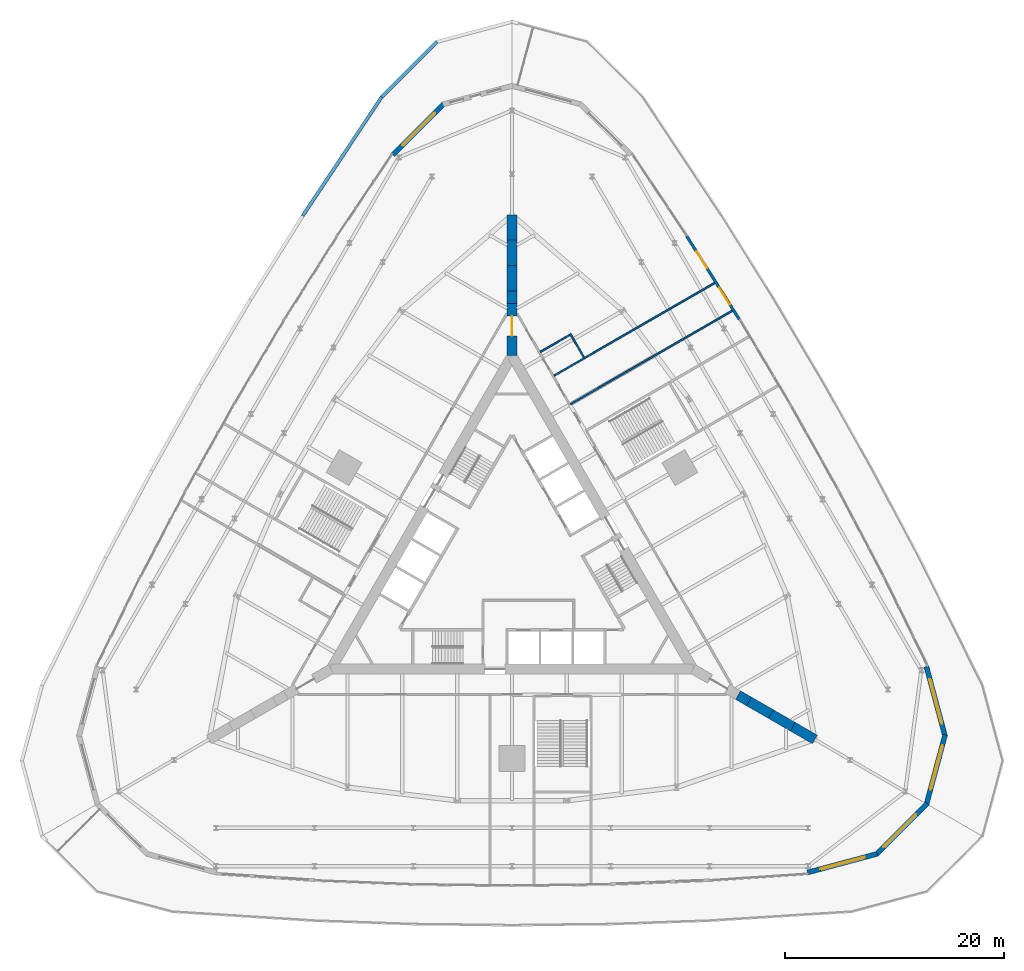
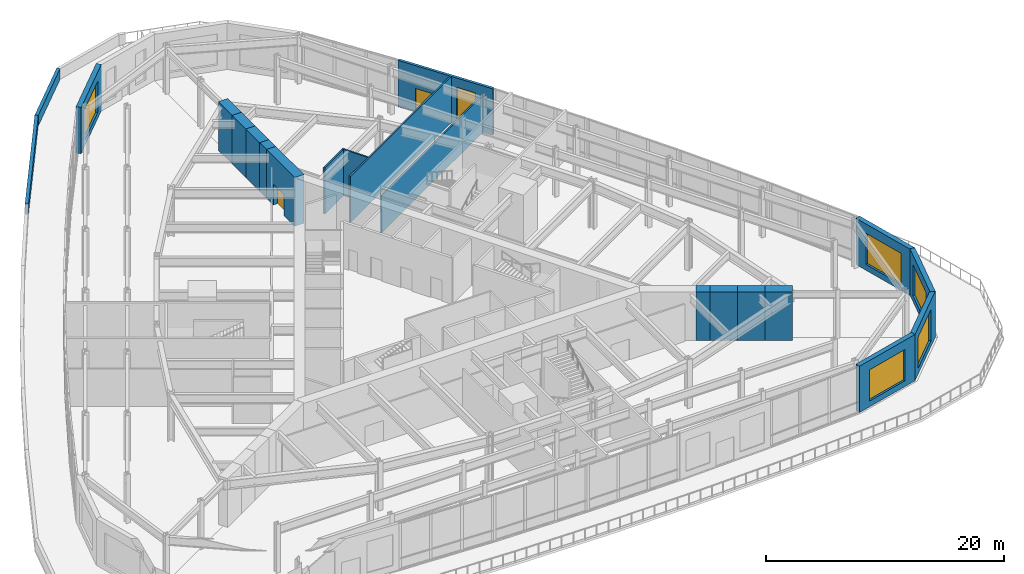
# One storey, part 15 of 20: 21 walls, 6 windows, 2 doors, 8 openings.
"""IFC4 building model written with IfcOpenShell, lengths in metres."""

import ifcopenshell
import ifcopenshell.guid

model = None  # the IFC model being written
_history = None  # IfcOwnerHistory: only IFC2X3 demands one
_inside = {}  # id of a spatial element -> (the spatial element, [elements in it])
_under = {}  # id of a project, library or spatial element -> (it, [spatial elements below it])
_declared = {}  # id of a project -> (the project, [libraries it declares])
_typed = {}  # id of a type object -> (the type object, [elements of that type])
_made_of = {}  # id of a material, layer set ... -> (it, [elements and type objects made of it])


def new_model(schema):
    """Start an empty IFC model of exactly this schema.

    Asked for "IFC4X3", IfcOpenShell would pick the latest addendum, in which some entities
    have other attributes; the version numbers below select the first issue.
    IFC2X3 requires an IfcOwnerHistory on every rooted entity: one is made here for all.
    """
    global model, _history
    if schema == "IFC4X3":
        model = ifcopenshell.file(schema_version=(4, 3, 0, 0))
    else:
        model = ifcopenshell.file(schema=schema)
    _inside.clear()
    _under.clear()
    _declared.clear()
    _typed.clear()
    _made_of.clear()
    _history = None
    if model.schema == "IFC2X3":
        org = make("IfcOrganization", Name="unknown")
        user = make(
            "IfcPersonAndOrganization",
            ThePerson=make("IfcPerson", FamilyName="unknown"),
            TheOrganization=org,
        )
        app = make(
            "IfcApplication",
            ApplicationDeveloper=org,
            Version="unknown",
            ApplicationFullName="unknown",
            ApplicationIdentifier="unknown",
        )
        _history = make(
            "IfcOwnerHistory",
            OwningUser=user,
            OwningApplication=app,
            ChangeAction="ADDED",
            CreationDate=0,
        )
    return model


def make(cls, **values):
    """One entity of the class cls with the attributes given. An attribute that is None is left unset."""
    return model.create_entity(
        cls, **{name: value for name, value in values.items() if value is not None}
    )


def rooted(cls, **values):
    """An entity with a GlobalId (a new one), such as an element, a storey or a relation."""
    return make(cls, GlobalId=ifcopenshell.guid.new(), OwnerHistory=_history, **values)


def si_unit(unit_type, name, prefix=None):
    """IfcSIUnit, for example si_unit("LENGTHUNIT", "METRE", prefix="MILLI")."""
    return make("IfcSIUnit", UnitType=unit_type, Prefix=prefix, Name=name)


def assignment(units):
    """IfcUnitAssignment: the units of a project."""
    return None if units is None else make("IfcUnitAssignment", Units=units)


def point(xyz):
    """IfcCartesianPoint."""
    return None if xyz is None else make("IfcCartesianPoint", Coordinates=xyz)


def direction(xyz):
    """IfcDirection."""
    return None if xyz is None else make("IfcDirection", DirectionRatios=xyz)


def frame(location, z_axis=None, x_axis=None):
    """IfcAxis2Placement3D, a coordinate frame: its origin and axes. An axis left out is left unset."""
    return make(
        "IfcAxis2Placement3D",
        Location=point(location),
        Axis=direction(z_axis),
        RefDirection=direction(x_axis),
    )


def frame_2d(location, x_axis=None):
    """IfcAxis2Placement2D, a coordinate frame in the plane: its origin and x axis."""
    return make(
        "IfcAxis2Placement2D", Location=point(location), RefDirection=direction(x_axis)
    )


def origin():
    """The frame at (0, 0, 0) with its axes left unset."""
    return frame((0.0, 0.0, 0.0))


def place(relative_to, where):
    """IfcLocalPlacement: puts the frame where relative to a parent placement (None: the world)."""
    return make(
        "IfcLocalPlacement", PlacementRelTo=relative_to, RelativePlacement=where
    )


def context(
    kind, dimensions, precision=None, world=None, true_north=None, identifier=None
):
    """IfcGeometricRepresentationContext, for example the 3D "Model" context."""
    return make(
        "IfcGeometricRepresentationContext",
        ContextIdentifier=identifier,
        ContextType=kind,
        CoordinateSpaceDimension=dimensions,
        Precision=precision,
        WorldCoordinateSystem=world,
        TrueNorth=true_north,
    )


def subcontext(parent, identifier, kind, view, scale=None):
    """IfcGeometricRepresentationSubContext, for example "Body" below "Model"."""
    return make(
        "IfcGeometricRepresentationSubContext",
        ContextIdentifier=identifier,
        ContextType=kind,
        ParentContext=parent,
        TargetScale=scale,
        TargetView=view,
    )


def project(units=None, contexts=None):
    """IfcProject with its units and contexts."""
    return rooted(
        "IfcProject",
        Name="project",
        RepresentationContexts=contexts,
        UnitsInContext=assignment(units),
    )


def spatial(cls, under=None, at=None, **own):
    """A site, building, storey or space (cls), placed at a placement, below another one or the project."""
    s = rooted(cls, ObjectPlacement=at, **own)
    if under is not None:
        _under.setdefault(under.id(), (under, []))[1].append(s)
    return s


def profile(cls, at=None, kind="AREA", **sizes):
    """A parametric profile (cls). Its sizes go by their IFC names, for example OverallWidth=200.0."""
    return make(cls, ProfileType=kind, Position=at, **sizes)


def rectangle(**sizes):
    """IfcRectangleProfileDef."""
    return profile("IfcRectangleProfileDef", **sizes)


def extrude(swept, where, along, depth):
    """IfcExtrudedAreaSolid: the profile swept, set in the frame where, extruded along a direction by depth."""
    return make(
        "IfcExtrudedAreaSolid",
        SweptArea=swept,
        Position=where,
        ExtrudedDirection=direction(along),
        Depth=depth,
    )


def shape(context_of_items, identifier, shape_type, items):
    """IfcShapeRepresentation: the items that make up one representation, for example the "Body"."""
    return make(
        "IfcShapeRepresentation",
        ContextOfItems=context_of_items,
        RepresentationIdentifier=identifier,
        RepresentationType=shape_type,
        Items=items,
    )


def material(Name=None, Category=None):
    """IfcMaterial."""
    return make("IfcMaterial", Name=Name, Category=Category)


def layer(
    of_material, thickness, ventilated=None, Name=None, Category=None, Priority=None
):
    """IfcMaterialLayer: one layer of a wall or slab, of a material (None: an air gap)."""
    return make(
        "IfcMaterialLayer",
        Material=of_material,
        LayerThickness=thickness,
        IsVentilated=ventilated,
        Name=Name,
        Category=Category,
        Priority=Priority,
    )


def layer_set(layers, Name=None):
    """IfcMaterialLayerSet."""
    return make("IfcMaterialLayerSet", MaterialLayers=layers, LayerSetName=Name)


def made_of(thing, what):
    """Note that an element or type object is made of a material, layer set ...; save() writes the relation."""
    if what is not None:
        _made_of.setdefault(what.id(), (what, []))[1].append(thing)
    return thing


def type_object(cls, material=None, **own):
    """A type object (cls), such as IfcWallType, which elements share."""
    return made_of(rooted(cls, **own), material)


def element(
    cls,
    number,
    at=None,
    inside=None,
    cuts=None,
    type_object=None,
    material=None,
    context=None,
    identifier="Body",
    shape_type=None,
    held_by="IfcProductDefinitionShape",
    body=None,
    shapes=None,
    **own,
):
    """One element of the class cls, such as IfcWall. Its Tag is "e" and its number.

    at: its placement. inside: the storey or other place that contains it. cuts: it is an
    opening in that element (IfcRelVoidsElement). A single representation is given by context,
    identifier, shape_type and body (its items); several are given by shapes. held_by: the class
    of the entity that holds the representations. save() writes the other relations.
    """
    e = rooted(cls, Tag="e%d" % number, ObjectPlacement=at, **own)
    if body is not None:
        shapes = [shape(context, identifier, shape_type, body)]
    if shapes is not None:
        e.Representation = make(held_by, Representations=shapes)
    if inside is not None:
        _inside.setdefault(inside.id(), (inside, []))[1].append(e)
    if cuts is not None:
        rooted(
            "IfcRelVoidsElement", RelatingBuildingElement=cuts, RelatedOpeningElement=e
        )
    if type_object is not None:
        _typed.setdefault(type_object.id(), (type_object, []))[1].append(e)
    return made_of(e, material)


def fill(opening, filler):
    """IfcRelFillsElement: the door or window that sits in an opening."""
    return rooted(
        "IfcRelFillsElement",
        RelatingOpeningElement=opening,
        RelatedBuildingElement=filler,
    )


def aggregate(whole, parts):
    """IfcRelAggregates: a whole, such as a stair, and the parts it consists of."""
    return rooted("IfcRelAggregates", RelatingObject=whole, RelatedObjects=parts)


def save(model, path):
    """Write the relations noted so far, then the file.

    IfcRelAggregates (storeys below a building ...), IfcRelContainedInSpatialStructure (elements
    in a storey), IfcRelDefinesByType, IfcRelAssociatesMaterial and IfcRelDeclares: one each for
    every whole, place, type object, material and project.
    """
    for whole, parts in _under.values():
        aggregate(whole, parts)
    for where, things in _inside.values():
        rooted(
            "IfcRelContainedInSpatialStructure",
            RelatedElements=things,
            RelatingStructure=where,
        )
    for kind, things in _typed.values():
        rooted("IfcRelDefinesByType", RelatedObjects=things, RelatingType=kind)
    for what, things in _made_of.values():
        rooted("IfcRelAssociatesMaterial", RelatedObjects=things, RelatingMaterial=what)
    for by, libraries in _declared.values():
        rooted("IfcRelDeclares", RelatingContext=by, RelatedDefinitions=libraries)
    model.write(path)


model = new_model("IFC4")

# Units and contexts
model_context = context("Model", 3, precision=1e-05, world=origin(), true_north=direction((0.0, 1.0)))
body_context = subcontext(model_context, "Body", "Model", "MODEL_VIEW")
ifc_project = project(units=[si_unit("LENGTHUNIT", "METRE"), si_unit("AREAUNIT", "SQUARE_METRE"), si_unit("VOLUMEUNIT", "CUBIC_METRE"), si_unit("PLANEANGLEUNIT", "RADIAN"), si_unit("MASSUNIT", "GRAM", prefix="KILO")], contexts=[model_context])

# Site, building, storey
site_placement = place(None, origin())
site = spatial("IfcSite", under=ifc_project, at=site_placement, CompositionType="ELEMENT")
building_placement = place(site_placement, origin())
building = spatial("IfcBuilding", under=site, at=building_placement, Name="Trikona Tower", CompositionType="ELEMENT")
storey_placement = place(building_placement, frame((0.0, 0.0, 6.0)))
storey = spatial("IfcBuildingStorey", under=building, at=storey_placement, Name="L01", CompositionType="ELEMENT", Elevation=6.0)

# Wall, opening, window
ifc_material_1 = material(Name="Brick-faced precast concrete", Category="masonry")
ifc_layer_1 = layer(ifc_material_1, 0.449951171875)
ifc_layer_set_1 = layer_set([ifc_layer_1], Name="Brick-faced corner wall 450")
wall_type_1 = type_object("IfcWallType", Name="Brick-faced corner wall 450", PredefinedType="SOLIDWALL", material=ifc_layer_set_1)
wall_1_placement = place(storey_placement, frame((26.94189453125, -28.072998046875, 0.0), z_axis=(0.0, 0.0, 1.0), x_axis=(0.965918049854, 0.258848065411, 0.0)))
wall_1 = element("IfcWall", 1, at=wall_1_placement, inside=storey, type_object=wall_type_1, Name="External wall L01-06", PredefinedType="SOLIDWALL", context=body_context, shape_type="SweptSolid", body=[
    extrude(rectangle(XDim=6.574951171875, YDim=0.449951171875, at=frame_2d((3.28759765625, 0.0))), origin(), (0.0, 0.0, 1.0), 4.75),
])
opening_1_placement = place(wall_1_placement, frame((1.1875, 0.0, 0.60009765625)))
opening_1 = element("IfcOpeningElement", 2, at=opening_1_placement, cuts=wall_1, Name="Opening W4232", PredefinedType="OPENING", context=body_context, shape_type="SweptSolid", body=[
    extrude(rectangle(XDim=4.199951171875, YDim=3.199951171875, at=frame_2d((2.10009765625, 1.60009765625))), frame((0.0, 0.23486328125, 0.0), z_axis=(0.0, -1.0, 0.0), x_axis=(1.0, 0.0, 0.0)), (0.0, 0.0, 1.0), 0.469970703125),
])
ifc_material_2 = material(Name="Aluminium-framed double glazing", Category="aluminium")
window_type_1 = type_object("IfcWindowType", Name="Window 4200x3200", PartitioningType="SINGLE_PANEL", PredefinedType="WINDOW", material=ifc_material_2)
window_1_placement = place(opening_1_placement, origin())
window_1 = element("IfcWindow", 3, at=window_1_placement, inside=storey, type_object=window_type_1, Name="Window L01-LNG", OverallHeight=3.199951171875, OverallWidth=4.199951171875, PartitioningType="SINGLE_PANEL", PredefinedType="WINDOW", context=body_context, shape_type="SweptSolid", body=[
    extrude(rectangle(XDim=4.199951171875, YDim=3.199951171875, at=frame_2d((2.10009765625, 1.60009765625))), frame((0.0, 0.030029296875, 0.0), z_axis=(0.0, -1.0, 0.0), x_axis=(1.0, 0.0, 0.0)), (0.0, 0.0, 1.0), 0.06005859375),
])
fill(opening_1, window_1)

wall_2_placement = place(storey_placement, frame((33.19189453125, -26.429443359375, 0.0), z_axis=(0.0, 0.0, 1.0), x_axis=(0.7070882144, 0.707125347486, 0.0)))
wall_2 = element("IfcWall", 4, at=wall_2_placement, inside=storey, type_object=wall_type_1, Name="External wall L01-07", PredefinedType="SOLIDWALL", context=body_context, shape_type="SweptSolid", body=[
    extrude(rectangle(XDim=6.57470703125, YDim=0.449951171875, at=frame_2d((3.287353515625, 0.0))), origin(), (0.0, 0.0, 1.0), 4.75),
])
opening_2_placement = place(wall_2_placement, frame((0.96923828125, 0.0, 0.60009765625)))
opening_2 = element("IfcOpeningElement", 5, at=opening_2_placement, cuts=wall_2, Name="Opening W4232", PredefinedType="OPENING", context=body_context, shape_type="SweptSolid", body=[
    extrude(rectangle(XDim=4.199951171875, YDim=3.199951171875, at=frame_2d((2.10009765625, 1.60009765625))), frame((0.0, 0.23486328125, 0.0), z_axis=(0.0, -1.0, 0.0), x_axis=(1.0, 0.0, 0.0)), (0.0, 0.0, 1.0), 0.469970703125),
])
window_2_placement = place(opening_2_placement, origin())
window_2 = element("IfcWindow", 6, at=window_2_placement, inside=storey, type_object=window_type_1, Name="Window L01-LNG", OverallHeight=3.199951171875, OverallWidth=4.199951171875, PartitioningType="SINGLE_PANEL", PredefinedType="WINDOW", context=body_context, shape_type="SweptSolid", body=[
    extrude(rectangle(XDim=4.199951171875, YDim=3.199951171875, at=frame_2d((2.10009765625, 1.60009765625))), frame((0.0, 0.030029296875, 0.0), z_axis=(0.0, -1.0, 0.0), x_axis=(1.0, 0.0, 0.0)), (0.0, 0.0, 1.0), 0.06005859375),
])
fill(opening_2, window_2)

wall_3_placement = place(storey_placement, frame((37.78271484375, -21.881103515625, 0.0), z_axis=(0.0, 0.0, 1.0), x_axis=(0.258813420722, 0.96592733332, 0.0)))
wall_3 = element("IfcWall", 7, at=wall_3_placement, inside=storey, type_object=wall_type_1, Name="External wall L01-08", PredefinedType="SOLIDWALL", context=body_context, shape_type="SweptSolid", body=[
    extrude(rectangle(XDim=6.574951171875, YDim=0.449951171875, at=frame_2d((3.28759765625, 0.0))), origin(), (0.0, 0.0, 1.0), 4.75),
])
opening_3_placement = place(wall_3_placement, frame((1.405517578125, 0.0, 0.60009765625)))
opening_3 = element("IfcOpeningElement", 8, at=opening_3_placement, cuts=wall_3, Name="Opening W4232", PredefinedType="OPENING", context=body_context, shape_type="SweptSolid", body=[
    extrude(rectangle(XDim=4.199951171875, YDim=3.199951171875, at=frame_2d((2.10009765625, 1.60009765625))), frame((0.0, 0.23486328125, 0.0), z_axis=(0.0, -1.0, 0.0), x_axis=(1.0, 0.0, 0.0)), (0.0, 0.0, 1.0), 0.469970703125),
])
window_3_placement = place(opening_3_placement, origin())
window_3 = element("IfcWindow", 9, at=window_3_placement, inside=storey, type_object=window_type_1, Name="Window L01-KIT", OverallHeight=3.199951171875, OverallWidth=4.199951171875, PartitioningType="SINGLE_PANEL", PredefinedType="WINDOW", context=body_context, shape_type="SweptSolid", body=[
    extrude(rectangle(XDim=4.199951171875, YDim=3.199951171875, at=frame_2d((2.10009765625, 1.60009765625))), frame((0.0, 0.030029296875, 0.0), z_axis=(0.0, -1.0, 0.0), x_axis=(1.0, 0.0, 0.0)), (0.0, 0.0, 1.0), 0.06005859375),
])
fill(opening_3, window_3)

wall_4_placement = place(storey_placement, frame((39.484375, -15.646728515625, 0.0), z_axis=(0.0, 0.0, 1.0), x_axis=(-0.258813420722, 0.96592733332, 0.0)))
wall_4 = element("IfcWall", 10, at=wall_4_placement, inside=storey, type_object=wall_type_1, Name="External wall L01-09", PredefinedType="SOLIDWALL", context=body_context, shape_type="SweptSolid", body=[
    extrude(rectangle(XDim=6.574951171875, YDim=0.449951171875, at=frame_2d((3.28759765625, 0.0))), origin(), (0.0, 0.0, 1.0), 4.75),
])
opening_4_placement = place(wall_4_placement, frame((1.1875, 0.0, 0.60009765625)))
opening_4 = element("IfcOpeningElement", 11, at=opening_4_placement, cuts=wall_4, Name="Opening W4232", PredefinedType="OPENING", context=body_context, shape_type="SweptSolid", body=[
    extrude(rectangle(XDim=4.199951171875, YDim=3.199951171875, at=frame_2d((2.10009765625, 1.60009765625))), frame((0.0, 0.23486328125, 0.0), z_axis=(0.0, -1.0, 0.0), x_axis=(1.0, 0.0, 0.0)), (0.0, 0.0, 1.0), 0.469970703125),
])
window_4_placement = place(opening_4_placement, origin())
window_4 = element("IfcWindow", 12, at=window_4_placement, inside=storey, type_object=window_type_1, Name="Window L01-KIT", OverallHeight=3.199951171875, OverallWidth=4.199951171875, PartitioningType="SINGLE_PANEL", PredefinedType="WINDOW", context=body_context, shape_type="SweptSolid", body=[
    extrude(rectangle(XDim=4.199951171875, YDim=3.199951171875, at=frame_2d((2.10009765625, 1.60009765625))), frame((0.0, 0.030029296875, 0.0), z_axis=(0.0, -1.0, 0.0), x_axis=(1.0, 0.0, 0.0)), (0.0, 0.0, 1.0), 0.06005859375),
])
fill(opening_4, window_4)

wall_5_placement = place(storey_placement, frame((-6.19189453125, 42.017822265625, 0.0), z_axis=(0.0, 0.0, 1.0), x_axis=(-0.7070882144, -0.707125347486, 0.0)))
wall_5 = element("IfcWall", 13, at=wall_5_placement, inside=storey, type_object=wall_type_1, Name="External wall L01-19", PredefinedType="SOLIDWALL", context=body_context, shape_type="SweptSolid", body=[
    extrude(rectangle(XDim=6.57470703125, YDim=0.449951171875, at=frame_2d((3.287353515625, 0.0))), origin(), (0.0, 0.0, 1.0), 4.75),
])
opening_5_placement = place(wall_5_placement, frame((1.1875, 0.0, 0.60009765625)))
opening_5 = element("IfcOpeningElement", 14, at=opening_5_placement, cuts=wall_5, Name="Opening W4232", PredefinedType="OPENING", context=body_context, shape_type="SweptSolid", body=[
    extrude(rectangle(XDim=4.199951171875, YDim=3.199951171875, at=frame_2d((2.10009765625, 1.60009765625))), frame((0.0, 0.23486328125, 0.0), z_axis=(0.0, -1.0, 0.0), x_axis=(1.0, 0.0, 0.0)), (0.0, 0.0, 1.0), 0.469970703125),
])
window_5_placement = place(opening_5_placement, origin())
window_5 = element("IfcWindow", 15, at=window_5_placement, inside=storey, type_object=window_type_1, Name="Window L01-BOH", OverallHeight=3.199951171875, OverallWidth=4.199951171875, PartitioningType="SINGLE_PANEL", PredefinedType="WINDOW", context=body_context, shape_type="SweptSolid", body=[
    extrude(rectangle(XDim=4.199951171875, YDim=3.199951171875, at=frame_2d((2.10009765625, 1.60009765625))), frame((0.0, 0.030029296875, 0.0), z_axis=(0.0, -1.0, 0.0), x_axis=(1.0, 0.0, 0.0)), (0.0, 0.0, 1.0), 0.06005859375),
])
fill(opening_5, window_5)

# Walls
ifc_material_3 = material(Name="Concrete f'c 10000 psi", Category="concrete")
ifc_layer_2 = layer(ifc_material_3, 0.89990234375)
ifc_layer_set_2 = layer_set([ifc_layer_2], Name="Buttress wall 900")
wall_type_2 = type_object("IfcWallType", Name="Buttress wall 900", PredefinedType="SHEAR", material=ifc_layer_set_2)
wall_6_placement = place(storey_placement, frame((20.6103515625, -11.8994140625, 0.0), z_axis=(0.0, 0.0, 1.0), x_axis=(0.866009537788, -0.500027479704, 0.0)))
element("IfcWall", 16, at=wall_6_placement, inside=storey, type_object=wall_type_2, Name="Buttress wall 1 part 2", PredefinedType="SHEAR", context=body_context, shape_type="SweptSolid", body=[
    extrude(rectangle(XDim=1.15478515625, YDim=0.89990234375, at=frame_2d((0.577392578125, 0.0))), origin(), (0.0, 0.0, 1.0), 5.0),
])
for number, where, z_axis, x_axis, name in (
    (17, (21.6103515625, -12.476806640625, 0.0), (0.0, 0.0, 1.0), (0.866055313784, -0.499948190782, 0.0), "Buttress wall 1 part 3"),
    (18, (23.6103515625, -13.63134765625, 0.0), (0.0, 0.0, 1.0), (0.866009537788, -0.500027479704, 0.0), "Buttress wall 1 part 4"),
    (19, (25.6103515625, -14.7861328125, 0.0), (0.0, 0.0, 1.0), (0.866009537788, -0.500027479704, 0.0), "Buttress wall 1 part 5"),
):
    element("IfcWall", number, at=place(storey_placement, frame(where, z_axis=z_axis, x_axis=x_axis)), inside=storey, type_object=wall_type_2, Name=name, PredefinedType="SHEAR", context=body_context, shape_type="SweptSolid", body=[
        extrude(rectangle(XDim=2.309326171875, YDim=0.89990234375, at=frame_2d((1.15478515625, 0.0))), origin(), (0.0, 0.0, 1.0), 5.0),
    ])

# Wall, opening, door
wall_7_placement = place(storey_placement, frame((0.0, 19.052490234375, 0.0), z_axis=(0.0, 0.0, 1.0), x_axis=(0.0, 1.0, 0.0)))
wall_7 = element("IfcWall", 20, at=wall_7_placement, inside=storey, type_object=wall_type_2, Name="Buttress wall 2", PredefinedType="SHEAR", context=body_context, shape_type="SweptSolid", body=[
    extrude(rectangle(XDim=4.74609375, YDim=0.89990234375, at=frame_2d((2.373046875, 0.0))), origin(), (0.0, 0.0, 1.0), 5.0),
])
opening_6_placement = place(wall_7_placement, frame((1.800048828125, 0.0, 0.0)))
opening_6 = element("IfcOpeningElement", 21, at=opening_6_placement, cuts=wall_7, Name="Opening D10", PredefinedType="OPENING", context=body_context, shape_type="SweptSolid", body=[
    extrude(rectangle(XDim=1.800048828125, YDim=2.1298828125, at=frame_2d((0.89990234375, 1.06494140625))), frame((0.0, 0.4599609375, 0.0), z_axis=(0.0, -1.0, 0.0), x_axis=(1.0, 0.0, 0.0)), (0.0, 0.0, 1.0), 0.919921875),
])
ifc_material_4 = material(Name="Hollow metal door and frame", Category="steel")
door_type_1 = type_object("IfcDoorType", Name="Cross-corridor door pair 1800x2130", OperationType="DOUBLE_DOOR_DOUBLE_SWING", PredefinedType="DOOR", material=ifc_material_4)
door_1_placement = place(opening_6_placement, origin())
door_1 = element("IfcDoor", 22, at=door_1_placement, inside=storey, type_object=door_type_1, Name="Cross-corridor door 2", OperationType="DOUBLE_DOOR_DOUBLE_SWING", OverallHeight=2.1298828125, OverallWidth=1.800048828125, PredefinedType="DOOR", context=body_context, shape_type="SweptSolid", body=[
    extrude(rectangle(XDim=1.800048828125, YDim=2.1298828125, at=frame_2d((0.89990234375, 1.06494140625))), frame((0.0, 0.02490234375, 0.0), z_axis=(0.0, -1.0, 0.0), x_axis=(1.0, 0.0, 0.0)), (0.0, 0.0, 1.0), 0.050048828125),
])
fill(opening_6, door_1)

# Walls
wall_8_placement = place(storey_placement, frame((0.0, 23.798583984375, 0.0), z_axis=(0.0, 0.0, 1.0), x_axis=(0.0, 1.0, 0.0)))
element("IfcWall", 23, at=wall_8_placement, inside=storey, type_object=wall_type_2, Name="Buttress wall 2 part 2", PredefinedType="SHEAR", context=body_context, shape_type="SweptSolid", body=[
    extrude(rectangle(XDim=1.15478515625, YDim=0.89990234375, at=frame_2d((0.577392578125, 0.0))), origin(), (0.0, 0.0, 1.0), 5.0),
])
wall_9_placement = place(storey_placement, frame((0.0, 24.953369140625, 0.0), z_axis=(0.0, 0.0, 1.0), x_axis=(0.0, 1.0, 0.0)))
element("IfcWall", 24, at=wall_9_placement, inside=storey, type_object=wall_type_2, Name="Buttress wall 2 part 3", PredefinedType="SHEAR", context=body_context, shape_type="SweptSolid", body=[
    extrude(rectangle(XDim=2.309326171875, YDim=0.89990234375, at=frame_2d((1.15478515625, 0.0))), origin(), (0.0, 0.0, 1.0), 5.0),
])
wall_10_placement = place(storey_placement, frame((0.0, 27.2626953125, 0.0), z_axis=(0.0, 0.0, 1.0), x_axis=(0.0, 1.0, 0.0)))
element("IfcWall", 25, at=wall_10_placement, inside=storey, type_object=wall_type_2, Name="Buttress wall 2 part 4", PredefinedType="SHEAR", context=body_context, shape_type="SweptSolid", body=[
    extrude(rectangle(XDim=2.3095703125, YDim=0.89990234375, at=frame_2d((1.15478515625, 0.0))), origin(), (0.0, 0.0, 1.0), 5.0),
])
wall_11_placement = place(storey_placement, frame((0.0, 29.572265625, 0.0), z_axis=(0.0, 0.0, 1.0), x_axis=(0.0, 1.0, 0.0)))
element("IfcWall", 26, at=wall_11_placement, inside=storey, type_object=wall_type_2, Name="Buttress wall 2 part 5", PredefinedType="SHEAR", context=body_context, shape_type="SweptSolid", body=[
    extrude(rectangle(XDim=2.309326171875, YDim=0.89990234375, at=frame_2d((1.15478515625, 0.0))), origin(), (0.0, 0.0, 1.0), 5.0),
])

# Wall, openings, door, window
ifc_material_5 = material(Name="Insulated precast concrete spandrel panel", Category="concrete")
ifc_layer_3 = layer(ifc_material_5, 0.25)
ifc_layer_set_3 = layer_set([ifc_layer_3], Name="Inner skin wall 250")
wall_type_3 = type_object("IfcWallType", Name="Inner skin wall 250", PredefinedType="STANDARD", material=ifc_layer_set_3)
wall_12_placement = place(storey_placement, frame((20.7255859375, 22.3525390625, 0.0), z_axis=(0.0, 0.0, 1.0), x_axis=(-0.534212228641, 0.845350397628, 0.0)))
wall_12 = element("IfcWall", 27, at=wall_12_placement, inside=storey, type_object=wall_type_3, Name="External wall L01-14", PredefinedType="STANDARD", context=body_context, shape_type="SweptSolid", body=[
    extrude(rectangle(XDim=9.00732421875, YDim=0.25, at=frame_2d((4.503662109375, 0.0))), origin(), (0.0, 0.0, 1.0), 4.75),
])
opening_7_placement = place(wall_12_placement, frame((1.6201171875, 0.0, 0.60009765625)))
opening_7 = element("IfcOpeningElement", 28, at=opening_7_placement, cuts=wall_12, Name="Opening W1832", PredefinedType="OPENING", context=body_context, shape_type="SweptSolid", body=[
    extrude(rectangle(XDim=1.800048828125, YDim=3.199951171875, at=frame_2d((0.89990234375, 1.60009765625))), frame((0.0, 0.135009765625, 0.0), z_axis=(0.0, -1.0, 0.0), x_axis=(1.0, 0.0, 0.0)), (0.0, 0.0, 1.0), 0.27001953125),
])
opening_8_placement = place(wall_12_placement, frame((5.539306640625, 0.0, 0.0)))
opening_8 = element("IfcOpeningElement", 29, at=opening_8_placement, cuts=wall_12, Name="Opening D8", PredefinedType="OPENING", context=body_context, shape_type="SweptSolid", body=[
    extrude(rectangle(XDim=1.800048828125, YDim=2.39990234375, at=frame_2d((0.89990234375, 1.199951171875))), frame((0.0, 0.135009765625, 0.0), z_axis=(0.0, -1.0, 0.0), x_axis=(1.0, 0.0, 0.0)), (0.0, 0.0, 1.0), 0.27001953125),
])
ifc_material_6 = material(Name="Aluminium-framed glazed door", Category="aluminium")
door_type_2 = type_object("IfcDoorType", Name="Terrace door pair 1800x2400", OperationType="DOUBLE_DOOR_SINGLE_SWING", PredefinedType="DOOR", material=ifc_material_6)
door_2_placement = place(opening_8_placement, origin())
door_2 = element("IfcDoor", 30, at=door_2_placement, inside=storey, type_object=door_type_2, Name="Terrace door Private dining room", OperationType="DOUBLE_DOOR_SINGLE_SWING", OverallHeight=2.39990234375, OverallWidth=1.800048828125, PredefinedType="DOOR", context=body_context, shape_type="SweptSolid", body=[
    extrude(rectangle(XDim=1.800048828125, YDim=2.39990234375, at=frame_2d((0.89990234375, 1.199951171875))), frame((0.0, 0.02490234375, 0.0), z_axis=(0.0, -1.0, 0.0), x_axis=(1.0, 0.0, 0.0)), (0.0, 0.0, 1.0), 0.050048828125),
])
fill(opening_8, door_2)
ifc_material_7 = material(Name="Aluminium-framed double glazing", Category="aluminium")
window_type_2 = type_object("IfcWindowType", Name="Window 1800x3200", PartitioningType="SINGLE_PANEL", PredefinedType="WINDOW", material=ifc_material_7)
window_6_placement = place(opening_7_placement, origin())
window_6 = element("IfcWindow", 31, at=window_6_placement, inside=storey, type_object=window_type_2, Name="Window L01-WCF", OverallHeight=3.199951171875, OverallWidth=1.800048828125, PartitioningType="SINGLE_PANEL", PredefinedType="WINDOW", context=body_context, shape_type="SweptSolid", body=[
    extrude(rectangle(XDim=1.800048828125, YDim=3.199951171875, at=frame_2d((0.89990234375, 1.60009765625))), frame((0.0, 0.030029296875, 0.0), z_axis=(0.0, -1.0, 0.0), x_axis=(1.0, 0.0, 0.0)), (0.0, 0.0, 1.0), 0.06005859375),
])
fill(opening_7, window_6)

# Walls
ifc_material_8 = material(Name="Brick-faced precast concrete", Category="masonry")
ifc_layer_4 = layer(ifc_material_8, 0.300048828125)
ifc_layer_set_4 = layer_set([ifc_layer_4], Name="Parapet wall 300")
wall_type_4 = type_object("IfcWallType", Name="Parapet wall 300", PredefinedType="PARAPET", material=ifc_layer_set_4)
wall_13_placement = place(storey_placement, frame((-19.085693359375, 31.79541015625, 0.0), z_axis=(0.0, 0.0, 1.0), x_axis=(0.553656005616, 0.832745475788, 0.0)))
element("IfcWall", 32, at=wall_13_placement, inside=storey, type_object=wall_type_4, Name="Green roof parapet L01-1-08", PredefinedType="PARAPET", context=body_context, shape_type="SweptSolid", body=[
    extrude(rectangle(XDim=13.0087890625, YDim=0.300048828125, at=frame_2d((6.50439453125, 0.0))), origin(), (0.0, 0.0, 1.0), 1.10009765625),
])
wall_14_placement = place(storey_placement, frame((-11.88330078125, 42.62841796875, 0.0), z_axis=(0.0, 0.0, 1.0), x_axis=(0.707106781187, 0.707106781187, 0.0)))
element("IfcWall", 33, at=wall_14_placement, inside=storey, type_object=wall_type_4, Name="Green roof parapet L01-1-09", PredefinedType="PARAPET", context=body_context, shape_type="SweptSolid", body=[
    extrude(rectangle(XDim=7.117431640625, YDim=0.300048828125, at=frame_2d((3.55859375, 0.0))), origin(), (0.0, 0.0, 1.0), 1.10009765625),
])
ifc_material_9 = material(Name="Metal stud and gypsum board, 1-hour acoustic", Category="gypsum")
ifc_layer_5 = layer(ifc_material_9, 0.14990234375)
ifc_layer_set_5 = layer_set([ifc_layer_5], Name="Party wall 150")
wall_type_5 = type_object("IfcWallType", Name="Party wall 150", PredefinedType="PARTITIONING", material=ifc_layer_set_5)
wall_15_placement = place(storey_placement, frame((5.32861328125, 14.623291015625, 0.0), z_axis=(0.0, 0.0, 1.0), x_axis=(0.866023280993, 0.500003676764, 0.0)))
element("IfcWall", 34, at=wall_15_placement, inside=storey, type_object=wall_type_5, Name="Partition L01 F2 u10", PredefinedType="PARTITIONING", context=body_context, shape_type="SweptSolid", body=[
    extrude(rectangle(XDim=17.033447265625, YDim=0.14990234375, at=frame_2d((8.5166015625, 0.0))), origin(), (0.0, 0.0, 1.0), 3.8076171875),
])
wall_16_placement = place(storey_placement, frame((3.82861328125, 17.221435546875, 0.0), z_axis=(0.0, 0.0, 1.0), x_axis=(0.86602357085, 0.500003174723, 0.0)))
element("IfcWall", 35, at=wall_16_placement, inside=storey, type_object=wall_type_5, Name="Partition L01 F2 u13", PredefinedType="PARTITIONING", context=body_context, shape_type="SweptSolid", body=[
    extrude(rectangle(XDim=16.91357421875, YDim=0.14990234375, at=frame_2d((8.456787109375, 0.0))), origin(), (0.0, 0.0, 1.0), 4.75),
])
wall_17_placement = place(storey_placement, frame((6.562255859375, 18.886474609375, 0.0), z_axis=(0.0, 0.0, 1.0), x_axis=(-0.500004234368, 0.866022959057, 0.0)))
element("IfcWall", 36, at=wall_17_placement, inside=storey, type_object=wall_type_5, Name="Partition L01 F2 u13 back", PredefinedType="PARTITIONING", context=body_context, shape_type="SweptSolid", body=[
    extrude(rectangle(XDim=2.5, YDim=0.14990234375, at=frame_2d((1.25, 0.0))), origin(), (0.0, 0.0, 1.0), 4.75),
])
wall_18_placement = place(storey_placement, frame((2.57861328125, 19.386474609375, 0.0), z_axis=(0.0, 0.0, 1.0), x_axis=(0.866022959057, 0.500004234368, 0.0)))
element("IfcWall", 37, at=wall_18_placement, inside=storey, type_object=wall_type_5, Name="Partition L01 F2 u15.5", PredefinedType="PARTITIONING", context=body_context, shape_type="SweptSolid", body=[
    extrude(rectangle(XDim=3.125, YDim=0.14990234375, at=frame_2d((1.5625, 0.0))), origin(), (0.0, 0.0, 1.0), 4.75),
])

save(model, "model.ifc")
